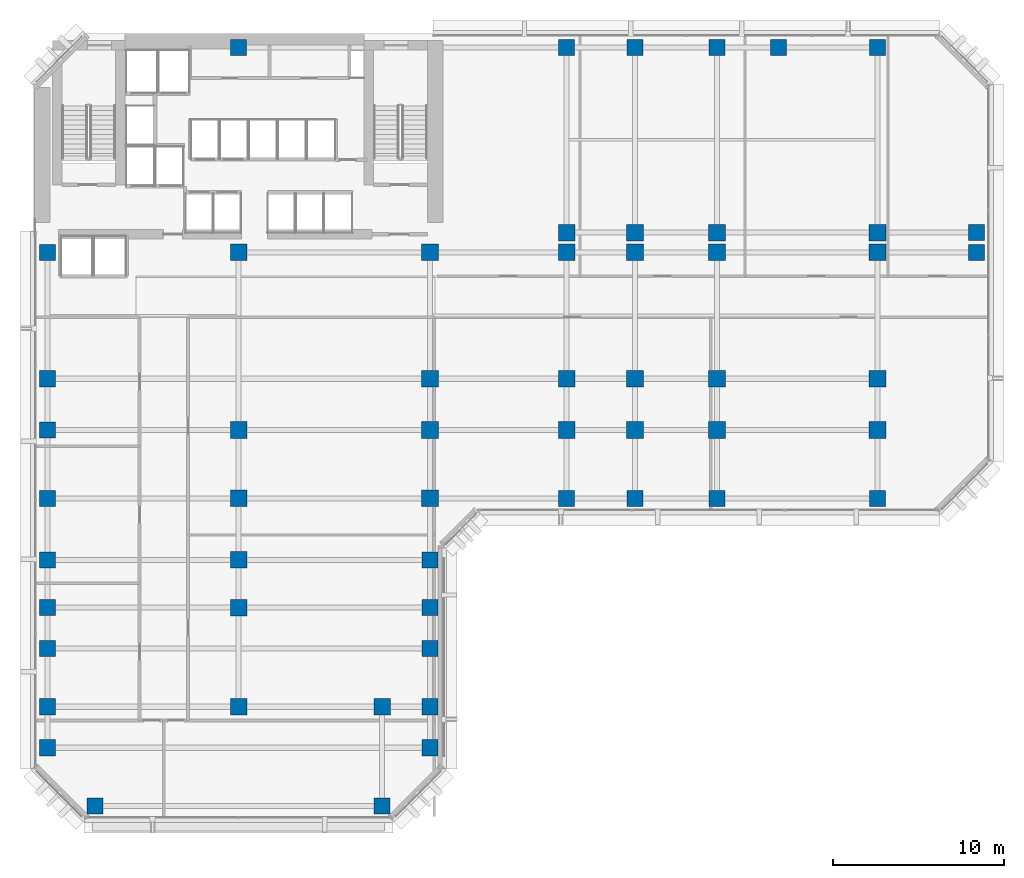
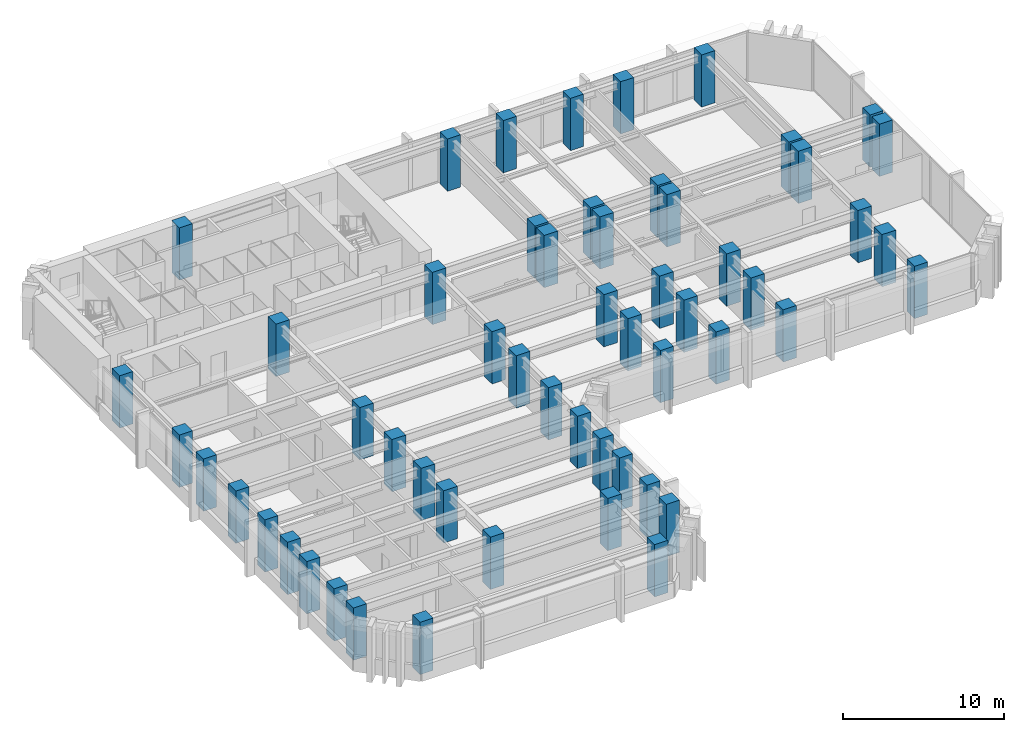
# One storey, part 1 of 13: 55 columns.
"""IFC4 building model written with IfcOpenShell, lengths in metres."""

from ifc_helpers import new_model, si_unit, direction, frame, origin, origin_2d, place, context, subcontext, project, spatial, rectangle, extrude, material, material_profile, profile_set, type_object, element, save


model = new_model("IFC4")

# Units and contexts
model_context = context("Model", 3, precision=1e-05, world=origin(), true_north=direction((0.0, 1.0)))
body_context = subcontext(model_context, "Body", "Model", "MODEL_VIEW")
ifc_project = project(units=[si_unit("LENGTHUNIT", "METRE"), si_unit("AREAUNIT", "SQUARE_METRE"), si_unit("VOLUMEUNIT", "CUBIC_METRE"), si_unit("PLANEANGLEUNIT", "RADIAN"), si_unit("MASSUNIT", "GRAM", prefix="KILO")], contexts=[model_context])

# Site, building, storey
site_placement = place(None, origin())
site = spatial("IfcSite", under=ifc_project, at=site_placement, CompositionType="ELEMENT")
building_placement = place(site_placement, origin())
building = spatial("IfcBuilding", under=site, at=building_placement, Name="Kefirva Bronze Tower", CompositionType="ELEMENT")
storey_placement = place(building_placement, frame((0.0, 0.0, 46.199951171875)))
storey = spatial("IfcBuildingStorey", under=building, at=storey_placement, Name="L10", CompositionType="ELEMENT", Elevation=46.199951171875)

# Columns
ifc_material = material(Name="Concrete C60/75", Category="concrete")
ifc_material_profile_1 = material_profile(ifc_material, rectangle(XDim=0.93994140625, YDim=0.93994140625, at=origin_2d()), Name="RC 940x940")
ifc_profile_set_1 = profile_set([ifc_material_profile_1], Name="Concrete C60/75")
column_type_1 = type_object("IfcColumnType", Name="RC Column 940x940 Ext", PredefinedType="COLUMN", material=ifc_profile_set_1)
for number, where, z_axis, x_axis, name in (
    (1, (0.800048828125, 4.199951171875, 0.0), (0.0, 0.0, 1.0), (1.0, 0.0, 0.0), "L10 Column C008_042"),
    (2, (0.800048828125, 6.60009765625, 0.0), (0.0, 0.0, 1.0), (1.0, 0.0, 0.0), "L10 Column C008_066"),
    (3, (0.800048828125, 10.0, 0.0), (0.0, 0.0, 1.0), (1.0, 0.0, 0.0), "L10 Column C008_100"),
    (4, (0.800048828125, 12.39990234375, 0.0), (0.0, 0.0, 1.0), (1.0, 0.0, 0.0), "L10 Column C008_124"),
    (5, (0.800048828125, 15.199951171875, 0.0), (0.0, 0.0, 1.0), (1.0, 0.0, 0.0), "L10 Column C008_152"),
    (6, (0.800048828125, 18.800048828125, 0.0), (0.0, 0.0, 1.0), (1.0, 0.0, 0.0), "L10 Column C008_188"),
    (7, (0.800048828125, 22.800048828125, 0.0), (0.0, 0.0, 1.0), (1.0, 0.0, 0.0), "L10 Column C008_228"),
    (8, (0.800048828125, 25.800048828125, 0.0), (0.0, 0.0, 1.0), (1.0, 0.0, 0.0), "L10 Column C008_258"),
    (9, (0.800048828125, 33.199951171875, 0.0), (0.0, 0.0, 1.0), (1.0, 0.0, 0.0), "L10 Column C008_332"),
    (10, (3.60009765625, 0.800048828125, 0.0), (0.0, 0.0, 1.0), (1.0, 0.0, 0.0), "L10 Column C036_008"),
    (11, (12.0, 45.199951171875, 0.0), (0.0, 0.0, 1.0), (1.0, 0.0, 0.0), "L10 Column C120_452"),
    (12, (20.39990234375, 0.800048828125, 0.0), (0.0, 0.0, 1.0), (1.0, 0.0, 0.0), "L10 Column C204_008"),
    (13, (23.199951171875, 4.199951171875, 0.0), (0.0, 0.0, 1.0), (1.0, 0.0, 0.0), "L10 Column C232_042"),
    (14, (23.199951171875, 6.60009765625, 0.0), (0.0, 0.0, 1.0), (1.0, 0.0, 0.0), "L10 Column C232_066"),
    (15, (23.199951171875, 10.0, 0.0), (0.0, 0.0, 1.0), (1.0, 0.0, 0.0), "L10 Column C232_100"),
    (16, (23.199951171875, 12.39990234375, 0.0), (0.0, 0.0, 1.0), (1.0, 0.0, 0.0), "L10 Column C232_124"),
    (17, (23.199951171875, 15.199951171875, 0.0), (0.0, 0.0, 1.0), (1.0, 0.0, 0.0), "L10 Column C232_152"),
    (18, (31.199951171875, 18.800048828125, 0.0), (0.0, 0.0, 1.0), (1.0, 0.0, 0.0), "L10 Column C312_188"),
    (19, (31.199951171875, 45.199951171875, 0.0), (0.0, 0.0, 1.0), (1.0, 0.0, 0.0), "L10 Column C312_452"),
    (20, (35.199951171875, 18.800048828125, 0.0), (0.0, 0.0, 1.0), (1.0, 0.0, 0.0), "L10 Column C352_188"),
    (21, (35.199951171875, 45.199951171875, 0.0), (0.0, 0.0, 1.0), (1.0, 0.0, 0.0), "L10 Column C352_452"),
    (22, (40.0, 18.800048828125, 0.0), (0.0, 0.0, 1.0), (1.0, 0.0, 0.0), "L10 Column C400_188"),
    (23, (40.0, 45.199951171875, 0.0), (0.0, 0.0, 1.0), (1.0, 0.0, 0.0), "L10 Column C400_452"),
    (24, (43.60009765625, 45.199951171875, 0.0), (0.0, 0.0, 1.0), (1.0, 0.0, 0.0), "L10 Column C436_452"),
    (25, (49.39990234375, 18.800048828125, 0.0), (0.0, 0.0, 1.0), (1.0, 0.0, 0.0), "L10 Column C494_188"),
    (26, (49.39990234375, 45.199951171875, 0.0), (0.0, 0.0, 1.0), (1.0, 0.0, 0.0), "L10 Column C494_452"),
    (27, (55.199951171875, 33.199951171875, 0.0), (0.0, 0.0, 1.0), (1.0, 0.0, 0.0), "L10 Column C552_332"),
    (28, (55.199951171875, 34.35009765625, 0.0), (0.0, 0.0, 1.0), (1.0, 0.0, 0.0), "L10 Column C552_344"),
):
    element("IfcColumn", number, at=place(storey_placement, frame(where, z_axis=z_axis, x_axis=x_axis)), inside=storey, type_object=column_type_1, Name=name, PredefinedType="COLUMN", context=body_context, shape_type="SweptSolid", body=[
        extrude(rectangle(XDim=0.93994140625, YDim=0.93994140625, at=origin_2d()), origin(), (0.0, 0.0, 1.0), 3.9599609375),
    ])
ifc_material_profile_2 = material_profile(ifc_material, rectangle(XDim=0.97998046875, YDim=0.97998046875, at=origin_2d()), Name="RC 980x980")
ifc_profile_set_2 = profile_set([ifc_material_profile_2], Name="Concrete C60/75")
column_type_2 = type_object("IfcColumnType", Name="RC Column 980x980 Int", PredefinedType="COLUMN", material=ifc_profile_set_2)
for number, where, z_axis, x_axis, name in (
    (29, (12.0, 6.60009765625, 0.0), (0.0, 0.0, 1.0), (1.0, 0.0, 0.0), "L10 Column C120_066"),
    (30, (12.0, 12.39990234375, 0.0), (0.0, 0.0, 1.0), (1.0, 0.0, 0.0), "L10 Column C120_124"),
    (31, (12.0, 15.199951171875, 0.0), (0.0, 0.0, 1.0), (1.0, 0.0, 0.0), "L10 Column C120_152"),
    (32, (12.0, 18.800048828125, 0.0), (0.0, 0.0, 1.0), (1.0, 0.0, 0.0), "L10 Column C120_188"),
    (33, (12.0, 22.800048828125, 0.0), (0.0, 0.0, 1.0), (1.0, 0.0, 0.0), "L10 Column C120_228"),
    (34, (12.0, 33.199951171875, 0.0), (0.0, 0.0, 1.0), (1.0, 0.0, 0.0), "L10 Column C120_332"),
    (35, (20.39990234375, 6.60009765625, 0.0), (0.0, 0.0, 1.0), (1.0, 0.0, 0.0), "L10 Column C204_066"),
    (36, (23.199951171875, 18.800048828125, 0.0), (0.0, 0.0, 1.0), (1.0, 0.0, 0.0), "L10 Column C232_188"),
    (37, (23.199951171875, 22.800048828125, 0.0), (0.0, 0.0, 1.0), (1.0, 0.0, 0.0), "L10 Column C232_228"),
    (38, (23.199951171875, 25.800048828125, 0.0), (0.0, 0.0, 1.0), (1.0, 0.0, 0.0), "L10 Column C232_258"),
    (39, (23.199951171875, 33.199951171875, 0.0), (0.0, 0.0, 1.0), (1.0, 0.0, 0.0), "L10 Column C232_332"),
    (40, (31.199951171875, 22.800048828125, 0.0), (0.0, 0.0, 1.0), (1.0, 0.0, 0.0), "L10 Column C312_228"),
    (41, (31.199951171875, 25.800048828125, 0.0), (0.0, 0.0, 1.0), (1.0, 0.0, 0.0), "L10 Column C312_258"),
    (42, (31.199951171875, 33.199951171875, 0.0), (0.0, 0.0, 1.0), (1.0, 0.0, 0.0), "L10 Column C312_332"),
    (43, (31.199951171875, 34.35009765625, 0.0), (0.0, 0.0, 1.0), (1.0, 0.0, 0.0), "L10 Column C312_344"),
    (44, (35.199951171875, 22.800048828125, 0.0), (0.0, 0.0, 1.0), (1.0, 0.0, 0.0), "L10 Column C352_228"),
    (45, (35.199951171875, 25.800048828125, 0.0), (0.0, 0.0, 1.0), (1.0, 0.0, 0.0), "L10 Column C352_258"),
    (46, (35.199951171875, 33.199951171875, 0.0), (0.0, 0.0, 1.0), (1.0, 0.0, 0.0), "L10 Column C352_332"),
    (47, (35.199951171875, 34.35009765625, 0.0), (0.0, 0.0, 1.0), (1.0, 0.0, 0.0), "L10 Column C352_344"),
    (48, (40.0, 22.800048828125, 0.0), (0.0, 0.0, 1.0), (1.0, 0.0, 0.0), "L10 Column C400_228"),
    (49, (40.0, 25.800048828125, 0.0), (0.0, 0.0, 1.0), (1.0, 0.0, 0.0), "L10 Column C400_258"),
    (50, (40.0, 33.199951171875, 0.0), (0.0, 0.0, 1.0), (1.0, 0.0, 0.0), "L10 Column C400_332"),
    (51, (40.0, 34.35009765625, 0.0), (0.0, 0.0, 1.0), (1.0, 0.0, 0.0), "L10 Column C400_344"),
    (52, (49.39990234375, 22.800048828125, 0.0), (0.0, 0.0, 1.0), (1.0, 0.0, 0.0), "L10 Column C494_228"),
    (53, (49.39990234375, 25.800048828125, 0.0), (0.0, 0.0, 1.0), (1.0, 0.0, 0.0), "L10 Column C494_258"),
    (54, (49.39990234375, 33.199951171875, 0.0), (0.0, 0.0, 1.0), (1.0, 0.0, 0.0), "L10 Column C494_332"),
    (55, (49.39990234375, 34.35009765625, 0.0), (0.0, 0.0, 1.0), (1.0, 0.0, 0.0), "L10 Column C494_344"),
):
    element("IfcColumn", number, at=place(storey_placement, frame(where, z_axis=z_axis, x_axis=x_axis)), inside=storey, type_object=column_type_2, Name=name, PredefinedType="COLUMN", context=body_context, shape_type="SweptSolid", body=[
        extrude(rectangle(XDim=0.97998046875, YDim=0.97998046875, at=origin_2d()), origin(), (0.0, 0.0, 1.0), 3.9599609375),
    ])

save(model, "model.ifc")
